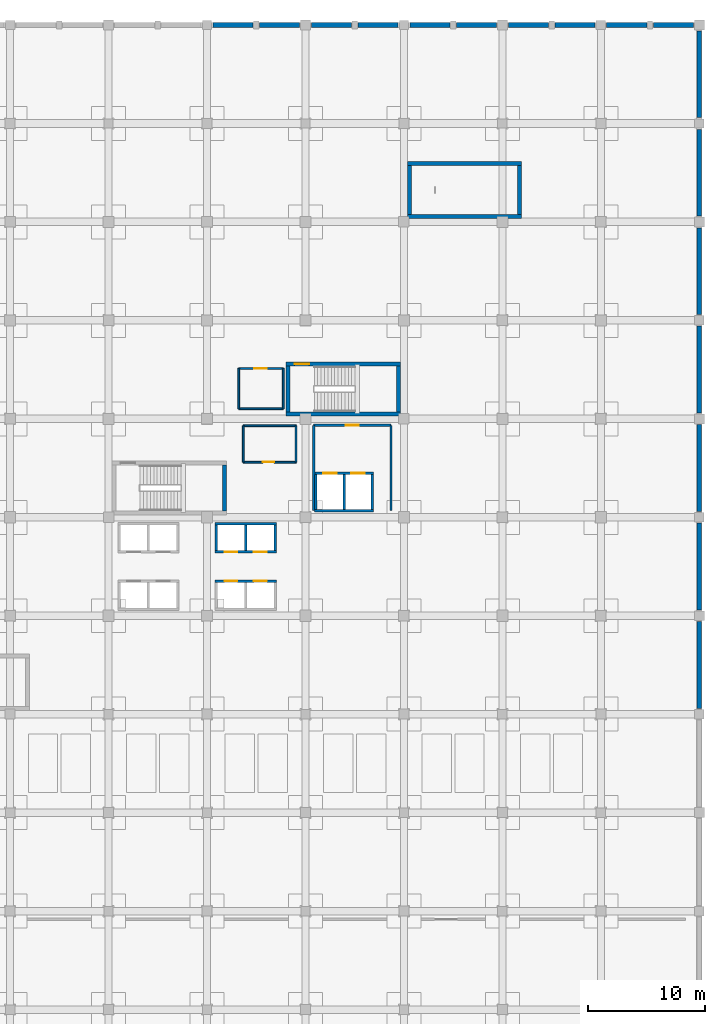
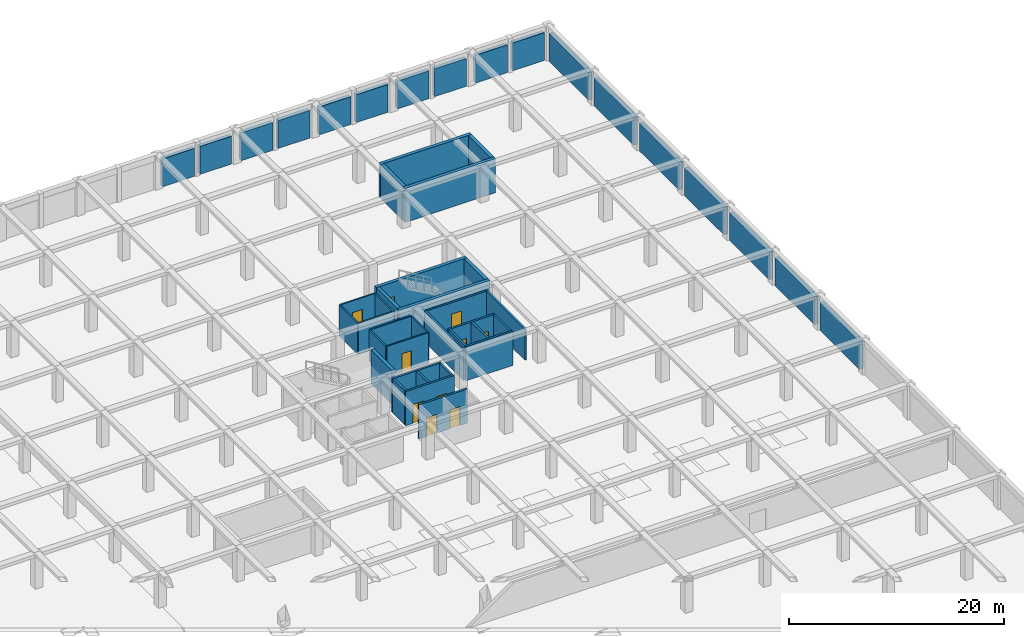
# One storey, part 20 of 32: 48 walls, 10 doors, 10 openings.
"""IFC4 building model written with IfcOpenShell, lengths in metres."""

from ifc_helpers import new_model, si_unit, direction, frame, frame_2d, origin, place, context, subcontext, project, spatial, rectangle, extrude, material, layer, layer_set, type_object, element, fill, save


model = new_model("IFC4")

# Units and contexts
model_context = context("Model", 3, precision=1e-05, world=origin(), true_north=direction((0.0, 1.0)))
body_context = subcontext(model_context, "Body", "Model", "MODEL_VIEW")
ifc_project = project(units=[si_unit("LENGTHUNIT", "METRE"), si_unit("AREAUNIT", "SQUARE_METRE"), si_unit("VOLUMEUNIT", "CUBIC_METRE"), si_unit("PLANEANGLEUNIT", "RADIAN"), si_unit("MASSUNIT", "GRAM", prefix="KILO")], contexts=[model_context])

# Site, building, storey
site_placement = place(None, origin())
site = spatial("IfcSite", under=ifc_project, at=site_placement, CompositionType="ELEMENT")
building_placement = place(site_placement, origin())
building = spatial("IfcBuilding", under=site, at=building_placement, Name="Almacenes y Pasaje Nevantli", CompositionType="ELEMENT")
storey_placement = place(building_placement, frame((0.0, 0.0, -4.199951171875)))
storey = spatial("IfcBuildingStorey", under=building, at=storey_placement, Name="B01", CompositionType="ELEMENT", Elevation=-4.199951171875)

# Wall, opening, door
ifc_material_1 = material(Name="Fire-Rated Concrete Blockwork", Category="masonry")
ifc_layer_1 = layer(ifc_material_1, 0.199951171875)
ifc_layer_set_1 = layer_set([ifc_layer_1], Name="Fire-Rated Concrete Blockwork")
wall_type_1 = type_object("IfcWallType", Name="WL-COMP-200", PredefinedType="PARTITIONING", material=ifc_layer_set_1)
wall_1_placement = place(storey_placement, frame((135.10009765625, 83.449951171875, 0.0), z_axis=(0.0, 0.0, 1.0), x_axis=(1.0, 0.0, 0.0)))
wall_1 = element("IfcWall", 1, at=wall_1_placement, inside=storey, type_object=wall_type_1, Name="B01 Interior Partition Wall IW-200 #17", PredefinedType="PARTITIONING", context=body_context, shape_type="SweptSolid", body=[
    extrude(rectangle(XDim=6.599853515625, YDim=0.199951171875, at=frame_2d((3.2998046875, 0.0))), origin(), (0.0, 0.0, 1.0), 3.5),
])
opening_1_placement = place(wall_1_placement, frame((2.75, 0.0, 0.0)))
opening_1 = element("IfcOpeningElement", 2, at=opening_1_placement, cuts=wall_1, Name="Opening ID-B01-008", PredefinedType="OPENING", context=body_context, shape_type="SweptSolid", body=[
    extrude(rectangle(XDim=1.10009765625, YDim=2.199951171875, at=frame_2d((0.550048828125, 1.10009765625))), frame((0.0, 0.10986328125, 0.0), z_axis=(0.0, -1.0, 0.0), x_axis=(1.0, 0.0, 0.0)), (0.0, 0.0, 1.0), 0.219970703125),
])
ifc_material_2 = material(Name="Galvanized Fire-Rated Steel", Category="steel")
door_type_1 = type_object("IfcDoorType", Name="DR-FD90-1100R", OperationType="SINGLE_SWING_RIGHT", PredefinedType="DOOR", material=ifc_material_2)
door_1_placement = place(opening_1_placement, origin())
door_1 = element("IfcDoor", 3, at=door_1_placement, inside=storey, type_object=door_type_1, Name="B01 Firefighting Lobby Door", OperationType="SINGLE_SWING_RIGHT", OverallHeight=2.199951171875, OverallWidth=1.10009765625, PredefinedType="DOOR", context=body_context, shape_type="SweptSolid", body=[
    extrude(rectangle(XDim=1.10009765625, YDim=2.199951171875, at=frame_2d((0.550048828125, 1.10009765625))), frame((0.0, 0.02490234375, 0.0), z_axis=(0.0, -1.0, 0.0), x_axis=(1.0, 0.0, 0.0)), (0.0, 0.0, 1.0), 0.050048828125),
])
fill(opening_1, door_1)

# Walls
for number, where, z_axis, x_axis, name in (
    (4, (135.10009765625, 76.199951171875, 0.0), (0.0, 0.0, 1.0), (0.0, 1.0, 0.0), "B01 Interior Partition Wall IW-200 #18"),
    (5, (141.699951171875, 76.199951171875, 0.0), (0.0, 0.0, 1.0), (0.0, 1.0, 0.0), "B01 Interior Partition Wall IW-200 #19"),
):
    element("IfcWall", number, at=place(storey_placement, frame(where, z_axis=z_axis, x_axis=x_axis)), inside=storey, type_object=wall_type_1, Name=name, PredefinedType="PARTITIONING", context=body_context, shape_type="SweptSolid", body=[
        extrude(rectangle(XDim=7.25, YDim=0.199951171875, at=frame_2d((3.625, 0.0))), origin(), (0.0, 0.0, 1.0), 3.5),
    ])
ifc_material_3 = material(Name="Concrete C45/55", Category="concrete")
ifc_layer_2 = layer(ifc_material_3, 0.35009765625)
ifc_layer_set_2 = layer_set([ifc_layer_2], Name="Concrete C45/55")
wall_type_2 = type_object("IfcWallType", Name="WL-CORE-350", PredefinedType="SHEAR", material=ifc_layer_set_2)
wall_2_placement = place(storey_placement, frame((127.47509765625, 76.14990234375, 0.0), z_axis=(0.0, 0.0, 1.0), x_axis=(0.0, 1.0, 0.0)))
element("IfcWall", 6, at=wall_2_placement, inside=storey, type_object=wall_type_2, Name="B01 Exit Stair ST-01 East Core Shear Wall", PredefinedType="SHEAR", context=body_context, shape_type="SweptSolid", body=[
    extrude(rectangle(XDim=3.89013671875, YDim=0.35009765625, at=frame_2d((1.945068359375, 0.0))), origin(), (0.0, 0.0, 1.0), 3.8798828125),
])
wall_3_placement = place(storey_placement, frame((132.75, 84.425048828125, 0.0), z_axis=(0.0, 0.0, 1.0), x_axis=(1.0, 0.0, 0.0)))
element("IfcWall", 7, at=wall_3_placement, inside=storey, type_object=wall_type_2, Name="B01 Exit Stair ST-02 South Core Shear Wall", PredefinedType="SHEAR", context=body_context, shape_type="SweptSolid", body=[
    extrude(rectangle(XDim=9.75, YDim=0.35009765625, at=frame_2d((4.875, 0.0))), origin(), (0.0, 0.0, 1.0), 3.8798828125),
])

# Wall, opening, door
wall_4_placement = place(storey_placement, frame((132.75, 88.6650390625, 0.0), z_axis=(0.0, 0.0, 1.0), x_axis=(1.0, 0.0, 0.0)))
wall_4 = element("IfcWall", 8, at=wall_4_placement, inside=storey, type_object=wall_type_2, Name="B01 Exit Stair ST-02 North Core Shear Wall", PredefinedType="SHEAR", context=body_context, shape_type="SweptSolid", body=[
    extrude(rectangle(XDim=9.75, YDim=0.35009765625, at=frame_2d((4.875, 0.0))), origin(), (0.0, 0.0, 1.0), 3.8798828125),
])
opening_2_placement = place(wall_4_placement, frame((0.719970703125, 0.0, 0.0)))
opening_2 = element("IfcOpeningElement", 9, at=opening_2_placement, cuts=wall_4, Name="Opening SD-02-B01", PredefinedType="OPENING", context=body_context, shape_type="SweptSolid", body=[
    extrude(rectangle(XDim=1.25, YDim=2.199951171875, at=frame_2d((0.625, 1.10009765625))), frame((0.0, 0.18505859375, 0.0), z_axis=(0.0, -1.0, 0.0), x_axis=(1.0, 0.0, 0.0)), (0.0, 0.0, 1.0), 0.3701171875),
])
ifc_material_4 = material(Name="Galvanized Fire-Rated Steel", Category="steel")
door_type_2 = type_object("IfcDoorType", Name="DR-STAIR-1250R", OperationType="SINGLE_SWING_RIGHT", PredefinedType="DOOR", material=ifc_material_4)
door_2_placement = place(opening_2_placement, origin())
door_2 = element("IfcDoor", 10, at=door_2_placement, inside=storey, type_object=door_type_2, Name="B01 Smokeproof Exit Stair ST-02 Fire Door", OperationType="SINGLE_SWING_RIGHT", OverallHeight=2.199951171875, OverallWidth=1.25, PredefinedType="DOOR", context=body_context, shape_type="SweptSolid", body=[
    extrude(rectangle(XDim=1.25, YDim=2.199951171875, at=frame_2d((0.625, 1.10009765625))), frame((0.0, 0.02490234375, 0.0), z_axis=(0.0, -1.0, 0.0), x_axis=(1.0, 0.0, 0.0)), (0.0, 0.0, 1.0), 0.050048828125),
])
fill(opening_2, door_2)

# Walls
for number, where, z_axis, x_axis, name in (
    (11, (132.925048828125, 84.60009765625, 0.0), (0.0, 0.0, 1.0), (0.0, 1.0, 0.0), "B01 Exit Stair ST-02 West Core Shear Wall"),
    (12, (142.324951171875, 84.60009765625, 0.0), (0.0, 0.0, 1.0), (0.0, 1.0, 0.0), "B01 Exit Stair ST-02 East Core Shear Wall"),
):
    element("IfcWall", number, at=place(storey_placement, frame(where, z_axis=z_axis, x_axis=x_axis)), inside=storey, type_object=wall_type_2, Name=name, PredefinedType="SHEAR", context=body_context, shape_type="SweptSolid", body=[
        extrude(rectangle(XDim=3.889892578125, YDim=0.35009765625, at=frame_2d((1.94482421875, 0.0))), origin(), (0.0, 0.0, 1.0), 3.8798828125),
    ])
for number, where, z_axis, x_axis, name in (
    (13, (143.10009765625, 101.27490234375, 0.0), (0.0, 0.0, 1.0), (1.0, 0.0, 0.0), "B01 Exit Stair ST-07 South Core Shear Wall"),
    (14, (143.10009765625, 105.77490234375, 0.0), (0.0, 0.0, 1.0), (1.0, 0.0, 0.0), "B01 Exit Stair ST-07 North Core Shear Wall"),
):
    element("IfcWall", number, at=place(storey_placement, frame(where, z_axis=z_axis, x_axis=x_axis)), inside=storey, type_object=wall_type_2, Name=name, PredefinedType="SHEAR", context=body_context, shape_type="SweptSolid", body=[
        extrude(rectangle(XDim=9.75, YDim=0.35009765625, at=frame_2d((4.875, 0.0))), origin(), (0.0, 0.0, 1.0), 3.8798828125),
    ])
for number, where, z_axis, x_axis, name in (
    (15, (143.27490234375, 101.449951171875, 0.0), (0.0, 0.0, 1.0), (0.0, 1.0, 0.0), "B01 Exit Stair ST-07 West Core Shear Wall"),
    (16, (152.675048828125, 101.449951171875, 0.0), (0.0, 0.0, 1.0), (0.0, 1.0, 0.0), "B01 Exit Stair ST-07 East Core Shear Wall"),
):
    element("IfcWall", number, at=place(storey_placement, frame(where, z_axis=z_axis, x_axis=x_axis)), inside=storey, type_object=wall_type_2, Name=name, PredefinedType="SHEAR", context=body_context, shape_type="SweptSolid", body=[
        extrude(rectangle(XDim=4.150146484375, YDim=0.35009765625, at=frame_2d((2.0751953125, 0.0))), origin(), (0.0, 0.0, 1.0), 3.8798828125),
    ])

# Wall, opening, door
ifc_material_5 = material(Name="Acoustic Steel-Stud Gypsum Partition", Category="steel")
ifc_layer_3 = layer(ifc_material_5, 0.14990234375)
ifc_layer_set_3 = layer_set([ifc_layer_3], Name="Acoustic Steel-Stud Gypsum Partition")
wall_type_3 = type_object("IfcWallType", Name="WL-PART-150", PredefinedType="PARTITIONING", material=ifc_layer_set_3)
wall_5_placement = place(storey_placement, frame((129.10009765625, 80.300048828125, 0.0), z_axis=(0.0, 0.0, 1.0), x_axis=(1.0, 0.0, 0.0)))
wall_5 = element("IfcWall", 17, at=wall_5_placement, inside=storey, type_object=wall_type_3, Name="B01 Interior Partition Wall IW-150 #20", PredefinedType="PARTITIONING", context=body_context, shape_type="SweptSolid", body=[
    extrude(rectangle(XDim=4.5, YDim=0.14990234375, at=frame_2d((2.25, 0.0))), origin(), (0.0, 0.0, 1.0), 3.5),
])
opening_3_placement = place(wall_5_placement, frame((1.64990234375, 0.0, 0.0)))
opening_3 = element("IfcOpeningElement", 18, at=opening_3_placement, cuts=wall_5, Name="Opening ID-B01-009", PredefinedType="OPENING", context=body_context, shape_type="SweptSolid", body=[
    extrude(rectangle(XDim=1.0, YDim=2.10009765625, at=frame_2d((0.5, 1.050048828125))), frame((0.0, 0.0849609375, 0.0), z_axis=(0.0, -1.0, 0.0), x_axis=(1.0, 0.0, 0.0)), (0.0, 0.0, 1.0), 0.169921875),
])
ifc_material_6 = material(Name="Powder-Coated Hollow Metal", Category="steel")
door_type_3 = type_object("IfcDoorType", Name="DR-INT-1000", OperationType="SINGLE_SWING_LEFT", PredefinedType="DOOR", material=ifc_material_6)
door_3_placement = place(opening_3_placement, origin())
door_3 = element("IfcDoor", 19, at=door_3_placement, inside=storey, type_object=door_type_3, Name="B01 Staff and Public WC Door", OperationType="SINGLE_SWING_LEFT", OverallHeight=2.10009765625, OverallWidth=1.0, PredefinedType="DOOR", context=body_context, shape_type="SweptSolid", body=[
    extrude(rectangle(XDim=1.0, YDim=2.10009765625, at=frame_2d((0.5, 1.050048828125))), frame((0.0, 0.02490234375, 0.0), z_axis=(0.0, -1.0, 0.0), x_axis=(1.0, 0.0, 0.0)), (0.0, 0.0, 1.0), 0.050048828125),
])
fill(opening_3, door_3)

# Walls
wall_6_placement = place(storey_placement, frame((129.10009765625, 83.39990234375, 0.0), z_axis=(0.0, 0.0, 1.0), x_axis=(1.0, 0.0, 0.0)))
element("IfcWall", 20, at=wall_6_placement, inside=storey, type_object=wall_type_3, Name="B01 Interior Partition Wall IW-150 #21", PredefinedType="PARTITIONING", context=body_context, shape_type="SweptSolid", body=[
    extrude(rectangle(XDim=4.5, YDim=0.14990234375, at=frame_2d((2.25, 0.0))), origin(), (0.0, 0.0, 1.0), 3.5),
])
for number, where, z_axis, x_axis, name in (
    (21, (129.10009765625, 80.300048828125, 0.0), (0.0, 0.0, 1.0), (0.0, 1.0, 0.0), "B01 Interior Partition Wall IW-150 #22"),
    (22, (133.60009765625, 80.300048828125, 0.0), (0.0, 0.0, 1.0), (0.0, 1.0, 0.0), "B01 Interior Partition Wall IW-150 #23"),
):
    element("IfcWall", number, at=place(storey_placement, frame(where, z_axis=z_axis, x_axis=x_axis)), inside=storey, type_object=wall_type_3, Name=name, PredefinedType="PARTITIONING", context=body_context, shape_type="SweptSolid", body=[
        extrude(rectangle(XDim=3.099853515625, YDim=0.14990234375, at=frame_2d((1.5498046875, 0.0))), origin(), (0.0, 0.0, 1.0), 3.5),
    ])

# Wall, opening, door
wall_7_placement = place(storey_placement, frame((128.699951171875, 88.300048828125, 0.0), z_axis=(0.0, 0.0, 1.0), x_axis=(1.0, 0.0, 0.0)))
wall_7 = element("IfcWall", 23, at=wall_7_placement, inside=storey, type_object=wall_type_3, Name="B01 Interior Partition Wall IW-150 #24", PredefinedType="PARTITIONING", context=body_context, shape_type="SweptSolid", body=[
    extrude(rectangle(XDim=3.800048828125, YDim=0.14990234375, at=frame_2d((1.89990234375, 0.0))), origin(), (0.0, 0.0, 1.0), 3.5),
])
opening_4_placement = place(wall_7_placement, frame((1.35009765625, 0.0, 0.0)))
opening_4 = element("IfcOpeningElement", 24, at=opening_4_placement, cuts=wall_7, Name="Opening ID-B01-010", PredefinedType="OPENING", context=body_context, shape_type="SweptSolid", body=[
    extrude(rectangle(XDim=1.050048828125, YDim=2.14990234375, at=frame_2d((0.52490234375, 1.074951171875))), frame((0.0, 0.0849609375, 0.0), z_axis=(0.0, -1.0, 0.0), x_axis=(1.0, 0.0, 0.0)), (0.0, 0.0, 1.0), 0.169921875),
])
ifc_material_7 = material(Name="Powder-Coated Hollow Metal", Category="steel")
door_type_4 = type_object("IfcDoorType", Name="DR-ACC-1050", OperationType="SINGLE_SWING_RIGHT", PredefinedType="DOOR", material=ifc_material_7)
door_4_placement = place(opening_4_placement, origin())
door_4 = element("IfcDoor", 25, at=door_4_placement, inside=storey, type_object=door_type_4, Name="B01 Accessible WC Door", OperationType="SINGLE_SWING_RIGHT", OverallHeight=2.14990234375, OverallWidth=1.050048828125, PredefinedType="DOOR", context=body_context, shape_type="SweptSolid", body=[
    extrude(rectangle(XDim=1.050048828125, YDim=2.14990234375, at=frame_2d((0.52490234375, 1.074951171875))), frame((0.0, 0.02490234375, 0.0), z_axis=(0.0, -1.0, 0.0), x_axis=(1.0, 0.0, 0.0)), (0.0, 0.0, 1.0), 0.050048828125),
])
fill(opening_4, door_4)

# Walls
wall_8_placement = place(storey_placement, frame((128.699951171875, 84.85009765625, 0.0), z_axis=(0.0, 0.0, 1.0), x_axis=(1.0, 0.0, 0.0)))
element("IfcWall", 26, at=wall_8_placement, inside=storey, type_object=wall_type_3, Name="B01 Interior Partition Wall IW-150 #25", PredefinedType="PARTITIONING", context=body_context, shape_type="SweptSolid", body=[
    extrude(rectangle(XDim=3.800048828125, YDim=0.14990234375, at=frame_2d((1.89990234375, 0.0))), origin(), (0.0, 0.0, 1.0), 3.5),
])
for number, where, z_axis, x_axis, name in (
    (27, (128.699951171875, 84.85009765625, 0.0), (0.0, 0.0, 1.0), (0.0, 1.0, 0.0), "B01 Interior Partition Wall IW-150 #26"),
    (28, (132.5, 84.85009765625, 0.0), (0.0, 0.0, 1.0), (0.0, 1.0, 0.0), "B01 Interior Partition Wall IW-150 #27"),
):
    element("IfcWall", number, at=place(storey_placement, frame(where, z_axis=z_axis, x_axis=x_axis)), inside=storey, type_object=wall_type_3, Name=name, PredefinedType="PARTITIONING", context=body_context, shape_type="SweptSolid", body=[
        extrude(rectangle(XDim=3.449951171875, YDim=0.14990234375, at=frame_2d((1.72509765625, 0.0))), origin(), (0.0, 0.0, 1.0), 3.5),
    ])

# Wall, openings, doors
ifc_material_8 = material(Name="Concrete C45/55", Category="concrete")
ifc_layer_4 = layer(ifc_material_8, 0.2099609375)
ifc_layer_set_4 = layer_set([ifc_layer_4], Name="Concrete C45/55")
wall_type_4 = type_object("IfcWallType", Name="WL-SHAFT-210", PredefinedType="SHEAR", material=ifc_layer_set_4)
wall_9_placement = place(storey_placement, frame((126.68994140625, 70.155029296875, 0.0), z_axis=(0.0, 0.0, 1.0), x_axis=(1.0, 0.0, 0.0)))
wall_9 = element("IfcWall", 29, at=wall_9_placement, inside=storey, type_object=wall_type_4, Name="B01 Lift Hoistway ELV-P01-ELV-P02 North Wall", PredefinedType="SHEAR", context=body_context, shape_type="SweptSolid", body=[
    extrude(rectangle(XDim=5.219970703125, YDim=0.2099609375, at=frame_2d((2.60986328125, 0.0))), origin(), (0.0, 0.0, 1.0), 3.8798828125),
])
opening_5_placement = place(wall_9_placement, frame((0.81005859375, 0.0, 0.0)))
opening_5 = element("IfcOpeningElement", 30, at=opening_5_placement, cuts=wall_9, Name="Opening LD-P01-B01", PredefinedType="OPENING", context=body_context, shape_type="SweptSolid", body=[
    extrude(rectangle(XDim=1.10009765625, YDim=2.14990234375, at=frame_2d((0.550048828125, 1.074951171875))), frame((0.0, 0.114990234375, 0.0), z_axis=(0.0, -1.0, 0.0), x_axis=(1.0, 0.0, 0.0)), (0.0, 0.0, 1.0), 0.22998046875),
])
opening_6_placement = place(wall_9_placement, frame((3.31005859375, 0.0, 0.0)))
opening_6 = element("IfcOpeningElement", 31, at=opening_6_placement, cuts=wall_9, Name="Opening LD-P02-B01", PredefinedType="OPENING", context=body_context, shape_type="SweptSolid", body=[
    extrude(rectangle(XDim=1.10009765625, YDim=2.14990234375, at=frame_2d((0.550048828125, 1.074951171875))), frame((0.0, 0.114990234375, 0.0), z_axis=(0.0, -1.0, 0.0), x_axis=(1.0, 0.0, 0.0)), (0.0, 0.0, 1.0), 0.22998046875),
])
ifc_material_9 = material(Name="Brushed Stainless Steel", Category="steel")
door_type_5 = type_object("IfcDoorType", Name="DR-LD-PASS-1100", OperationType="DOUBLE_DOOR_SLIDING", PredefinedType="DOOR", material=ifc_material_9)
door_5_placement = place(opening_5_placement, origin())
door_5 = element("IfcDoor", 32, at=door_5_placement, inside=storey, type_object=door_type_5, Name="Lift Landing Door ELV-P01 B01", OperationType="DOUBLE_DOOR_SLIDING", OverallHeight=2.14990234375, OverallWidth=1.10009765625, PredefinedType="DOOR", context=body_context, shape_type="SweptSolid", body=[
    extrude(rectangle(XDim=1.10009765625, YDim=2.14990234375, at=frame_2d((0.550048828125, 1.074951171875))), frame((0.0, 0.02490234375, 0.0), z_axis=(0.0, -1.0, 0.0), x_axis=(1.0, 0.0, 0.0)), (0.0, 0.0, 1.0), 0.050048828125),
])
fill(opening_5, door_5)
door_6_placement = place(opening_6_placement, origin())
door_6 = element("IfcDoor", 33, at=door_6_placement, inside=storey, type_object=door_type_5, Name="Lift Landing Door ELV-P02 B01", OperationType="DOUBLE_DOOR_SLIDING", OverallHeight=2.14990234375, OverallWidth=1.10009765625, PredefinedType="DOOR", context=body_context, shape_type="SweptSolid", body=[
    extrude(rectangle(XDim=1.10009765625, YDim=2.14990234375, at=frame_2d((0.550048828125, 1.074951171875))), frame((0.0, 0.02490234375, 0.0), z_axis=(0.0, -1.0, 0.0), x_axis=(1.0, 0.0, 0.0)), (0.0, 0.0, 1.0), 0.050048828125),
])
fill(opening_6, door_6)

wall_10_placement = place(storey_placement, frame((126.68994140625, 72.64501953125, 0.0), z_axis=(0.0, 0.0, 1.0), x_axis=(1.0, 0.0, 0.0)))
wall_10 = element("IfcWall", 34, at=wall_10_placement, inside=storey, type_object=wall_type_4, Name="B01 Lift Hoistway ELV-P03-ELV-P04 South Wall", PredefinedType="SHEAR", context=body_context, shape_type="SweptSolid", body=[
    extrude(rectangle(XDim=5.219970703125, YDim=0.2099609375, at=frame_2d((2.60986328125, 0.0))), origin(), (0.0, 0.0, 1.0), 3.8798828125),
])
opening_7_placement = place(wall_10_placement, frame((0.81005859375, 0.0, 0.0)))
opening_7 = element("IfcOpeningElement", 35, at=opening_7_placement, cuts=wall_10, Name="Opening LD-P03-B01", PredefinedType="OPENING", context=body_context, shape_type="SweptSolid", body=[
    extrude(rectangle(XDim=1.10009765625, YDim=2.14990234375, at=frame_2d((0.550048828125, 1.074951171875))), frame((0.0, 0.114990234375, 0.0), z_axis=(0.0, -1.0, 0.0), x_axis=(1.0, 0.0, 0.0)), (0.0, 0.0, 1.0), 0.22998046875),
])
opening_8_placement = place(wall_10_placement, frame((3.31005859375, 0.0, 0.0)))
opening_8 = element("IfcOpeningElement", 36, at=opening_8_placement, cuts=wall_10, Name="Opening LD-P04-B01", PredefinedType="OPENING", context=body_context, shape_type="SweptSolid", body=[
    extrude(rectangle(XDim=1.10009765625, YDim=2.14990234375, at=frame_2d((0.550048828125, 1.074951171875))), frame((0.0, 0.114990234375, 0.0), z_axis=(0.0, -1.0, 0.0), x_axis=(1.0, 0.0, 0.0)), (0.0, 0.0, 1.0), 0.22998046875),
])
door_7_placement = place(opening_7_placement, origin())
door_7 = element("IfcDoor", 37, at=door_7_placement, inside=storey, type_object=door_type_5, Name="Lift Landing Door ELV-P03 B01", OperationType="DOUBLE_DOOR_SLIDING", OverallHeight=2.14990234375, OverallWidth=1.10009765625, PredefinedType="DOOR", context=body_context, shape_type="SweptSolid", body=[
    extrude(rectangle(XDim=1.10009765625, YDim=2.14990234375, at=frame_2d((0.550048828125, 1.074951171875))), frame((0.0, 0.02490234375, 0.0), z_axis=(0.0, -1.0, 0.0), x_axis=(1.0, 0.0, 0.0)), (0.0, 0.0, 1.0), 0.050048828125),
])
fill(opening_7, door_7)
door_8_placement = place(opening_8_placement, origin())
door_8 = element("IfcDoor", 38, at=door_8_placement, inside=storey, type_object=door_type_5, Name="Lift Landing Door ELV-P04 B01", OperationType="DOUBLE_DOOR_SLIDING", OverallHeight=2.14990234375, OverallWidth=1.10009765625, PredefinedType="DOOR", context=body_context, shape_type="SweptSolid", body=[
    extrude(rectangle(XDim=1.10009765625, YDim=2.14990234375, at=frame_2d((0.550048828125, 1.074951171875))), frame((0.0, 0.02490234375, 0.0), z_axis=(0.0, -1.0, 0.0), x_axis=(1.0, 0.0, 0.0)), (0.0, 0.0, 1.0), 0.050048828125),
])
fill(opening_8, door_8)

# Walls
wall_11_placement = place(storey_placement, frame((126.68994140625, 75.054931640625, 0.0), z_axis=(0.0, 0.0, 1.0), x_axis=(1.0, 0.0, 0.0)))
element("IfcWall", 39, at=wall_11_placement, inside=storey, type_object=wall_type_4, Name="B01 Lift Hoistway ELV-P03-ELV-P04 North Wall", PredefinedType="SHEAR", context=body_context, shape_type="SweptSolid", body=[
    extrude(rectangle(XDim=5.219970703125, YDim=0.2099609375, at=frame_2d((2.60986328125, 0.0))), origin(), (0.0, 0.0, 1.0), 3.8798828125),
])
for number, where, z_axis, x_axis, name in (
    (40, (126.794921875, 72.75, 0.0), (0.0, 0.0, 1.0), (0.0, 1.0, 0.0), "B01 Lift Hoistway ELV-P03 West Wall"),
    (41, (131.804931640625, 72.75, 0.0), (0.0, 0.0, 1.0), (0.0, 1.0, 0.0), "B01 Lift Hoistway ELV-P04 East Wall"),
    (42, (129.300048828125, 72.75, 0.0), (0.0, 0.0, 1.0), (0.0, 1.0, 0.0), "B01 Lift Hoistway Divider Wall ELV-P03/ELV-P04"),
):
    element("IfcWall", number, at=place(storey_placement, frame(where, z_axis=z_axis, x_axis=x_axis)), inside=storey, type_object=wall_type_4, Name=name, PredefinedType="SHEAR", context=body_context, shape_type="SweptSolid", body=[
        extrude(rectangle(XDim=2.199951171875, YDim=0.2099609375, at=frame_2d((1.10009765625, 0.0))), origin(), (0.0, 0.0, 1.0), 3.8798828125),
    ])
wall_12_placement = place(storey_placement, frame((135.18994140625, 76.14501953125, 0.0), z_axis=(0.0, 0.0, 1.0), x_axis=(1.0, 0.0, 0.0)))
element("IfcWall", 43, at=wall_12_placement, inside=storey, type_object=wall_type_4, Name="B01 Lift Hoistway ELV-FF1-ELV-FF2 South Wall", PredefinedType="SHEAR", context=body_context, shape_type="SweptSolid", body=[
    extrude(rectangle(XDim=5.02001953125, YDim=0.2099609375, at=frame_2d((2.510009765625, 0.0))), origin(), (0.0, 0.0, 1.0), 3.8798828125),
])

# Wall, openings, doors
wall_13_placement = place(storey_placement, frame((135.18994140625, 79.35498046875, 0.0), z_axis=(0.0, 0.0, 1.0), x_axis=(1.0, 0.0, 0.0)))
wall_13 = element("IfcWall", 44, at=wall_13_placement, inside=storey, type_object=wall_type_4, Name="B01 Lift Hoistway ELV-FF1-ELV-FF2 North Wall", PredefinedType="SHEAR", context=body_context, shape_type="SweptSolid", body=[
    extrude(rectangle(XDim=5.02001953125, YDim=0.2099609375, at=frame_2d((2.510009765625, 0.0))), origin(), (0.0, 0.0, 1.0), 3.8798828125),
])
opening_9_placement = place(wall_13_placement, frame((0.735107421875, 0.0, 0.0)))
opening_9 = element("IfcOpeningElement", 45, at=opening_9_placement, cuts=wall_13, Name="Opening LD-FF1-B01", PredefinedType="OPENING", context=body_context, shape_type="SweptSolid", body=[
    extrude(rectangle(XDim=1.14990234375, YDim=2.199951171875, at=frame_2d((0.574951171875, 1.10009765625))), frame((0.0, 0.114990234375, 0.0), z_axis=(0.0, -1.0, 0.0), x_axis=(1.0, 0.0, 0.0)), (0.0, 0.0, 1.0), 0.22998046875),
])
opening_10_placement = place(wall_13_placement, frame((3.135009765625, 0.0, 0.0)))
opening_10 = element("IfcOpeningElement", 46, at=opening_10_placement, cuts=wall_13, Name="Opening LD-FF2-B01", PredefinedType="OPENING", context=body_context, shape_type="SweptSolid", body=[
    extrude(rectangle(XDim=1.14990234375, YDim=2.199951171875, at=frame_2d((0.574951171875, 1.10009765625))), frame((0.0, 0.114990234375, 0.0), z_axis=(0.0, -1.0, 0.0), x_axis=(1.0, 0.0, 0.0)), (0.0, 0.0, 1.0), 0.22998046875),
])
ifc_material_10 = material(Name="Fire-Rated Stainless Steel", Category="steel")
door_type_6 = type_object("IfcDoorType", Name="DR-LD-FF-1150", OperationType="DOUBLE_DOOR_SLIDING", PredefinedType="DOOR", material=ifc_material_10)
door_9_placement = place(opening_9_placement, origin())
door_9 = element("IfcDoor", 47, at=door_9_placement, inside=storey, type_object=door_type_6, Name="Lift Landing Door ELV-FF1 B01", OperationType="DOUBLE_DOOR_SLIDING", OverallHeight=2.199951171875, OverallWidth=1.14990234375, PredefinedType="DOOR", context=body_context, shape_type="SweptSolid", body=[
    extrude(rectangle(XDim=1.14990234375, YDim=2.199951171875, at=frame_2d((0.574951171875, 1.10009765625))), frame((0.0, 0.02490234375, 0.0), z_axis=(0.0, -1.0, 0.0), x_axis=(1.0, 0.0, 0.0)), (0.0, 0.0, 1.0), 0.050048828125),
])
fill(opening_9, door_9)
door_10_placement = place(opening_10_placement, origin())
door_10 = element("IfcDoor", 48, at=door_10_placement, inside=storey, type_object=door_type_6, Name="Lift Landing Door ELV-FF2 B01", OperationType="DOUBLE_DOOR_SLIDING", OverallHeight=2.199951171875, OverallWidth=1.14990234375, PredefinedType="DOOR", context=body_context, shape_type="SweptSolid", body=[
    extrude(rectangle(XDim=1.14990234375, YDim=2.199951171875, at=frame_2d((0.574951171875, 1.10009765625))), frame((0.0, 0.02490234375, 0.0), z_axis=(0.0, -1.0, 0.0), x_axis=(1.0, 0.0, 0.0)), (0.0, 0.0, 1.0), 0.050048828125),
])
fill(opening_10, door_10)

# Walls
for number, where, z_axis, x_axis, name in (
    (49, (135.294921875, 76.25, 0.0), (0.0, 0.0, 1.0), (0.0, 1.0, 0.0), "B01 Lift Hoistway ELV-FF1 West Wall"),
    (50, (140.10498046875, 76.25, 0.0), (0.0, 0.0, 1.0), (0.0, 1.0, 0.0), "B01 Lift Hoistway ELV-FF2 East Wall"),
    (51, (137.699951171875, 76.25, 0.0), (0.0, 0.0, 1.0), (0.0, 1.0, 0.0), "B01 Lift Hoistway Divider Wall ELV-FF1/ELV-FF2"),
):
    element("IfcWall", number, at=place(storey_placement, frame(where, z_axis=z_axis, x_axis=x_axis)), inside=storey, type_object=wall_type_4, Name=name, PredefinedType="SHEAR", context=body_context, shape_type="SweptSolid", body=[
        extrude(rectangle(XDim=3.0, YDim=0.2099609375, at=frame_2d((1.5, 0.0))), origin(), (0.0, 0.0, 1.0), 3.8798828125),
    ])
ifc_material_11 = material(Name="Concrete C45/55", Category="concrete")
ifc_layer_5 = layer(ifc_material_11, 0.39990234375)
ifc_layer_set_5 = layer_set([ifc_layer_5], Name="Concrete C45/55")
wall_type_5 = type_object("IfcWallType", Name="WL-SHEAR-400", PredefinedType="SHEAR", material=ifc_layer_set_5)
for number, where, z_axis, x_axis, name in (
    (52, (126.5, 117.60009765625, 0.0), (0.0, 0.0, 1.0), (1.0, 0.0, 0.0), "B01 North Basement Retaining Shear Wall #16A"),
    (53, (130.47998046875, 117.60009765625, 0.0), (0.0, 0.0, 1.0), (1.0, 0.0, 0.0), "B01 North Basement Retaining Shear Wall #16B"),
):
    element("IfcWall", number, at=place(storey_placement, frame(where, z_axis=z_axis, x_axis=x_axis)), inside=storey, type_object=wall_type_5, Name=name, PredefinedType="SHEAR", context=body_context, shape_type="SweptSolid", body=[
        extrude(rectangle(XDim=3.419921875, YDim=0.39990234375, at=frame_2d((1.7099609375, 0.0))), origin(), (0.0, 0.0, 1.0), 3.159912109375),
    ])
for number, where, z_axis, x_axis, name in (
    (54, (134.89990234375, 117.60009765625, 0.0), (0.0, 0.0, 1.0), (1.0, 0.0, 0.0), "B01 North Basement Retaining Shear Wall #17A"),
    (55, (138.8798828125, 117.60009765625, 0.0), (0.0, 0.0, 1.0), (1.0, 0.0, 0.0), "B01 North Basement Retaining Shear Wall #17B"),
):
    element("IfcWall", number, at=place(storey_placement, frame(where, z_axis=z_axis, x_axis=x_axis)), inside=storey, type_object=wall_type_5, Name=name, PredefinedType="SHEAR", context=body_context, shape_type="SweptSolid", body=[
        extrude(rectangle(XDim=3.420166015625, YDim=0.39990234375, at=frame_2d((1.7099609375, 0.0))), origin(), (0.0, 0.0, 1.0), 3.159912109375),
    ])
for number, where, z_axis, x_axis, name in (
    (56, (143.300048828125, 117.60009765625, 0.0), (0.0, 0.0, 1.0), (1.0, 0.0, 0.0), "B01 North Basement Retaining Shear Wall #18A"),
    (57, (147.280029296875, 117.60009765625, 0.0), (0.0, 0.0, 1.0), (1.0, 0.0, 0.0), "B01 North Basement Retaining Shear Wall #18B"),
):
    element("IfcWall", number, at=place(storey_placement, frame(where, z_axis=z_axis, x_axis=x_axis)), inside=storey, type_object=wall_type_5, Name=name, PredefinedType="SHEAR", context=body_context, shape_type="SweptSolid", body=[
        extrude(rectangle(XDim=3.419921875, YDim=0.39990234375, at=frame_2d((1.7099609375, 0.0))), origin(), (0.0, 0.0, 1.0), 3.159912109375),
    ])
for number, where, z_axis, x_axis, name in (
    (58, (151.699951171875, 117.60009765625, 0.0), (0.0, 0.0, 1.0), (1.0, 0.0, 0.0), "B01 North Basement Retaining Shear Wall #19A"),
    (59, (155.679931640625, 117.60009765625, 0.0), (0.0, 0.0, 1.0), (1.0, 0.0, 0.0), "B01 North Basement Retaining Shear Wall #19B"),
):
    element("IfcWall", number, at=place(storey_placement, frame(where, z_axis=z_axis, x_axis=x_axis)), inside=storey, type_object=wall_type_5, Name=name, PredefinedType="SHEAR", context=body_context, shape_type="SweptSolid", body=[
        extrude(rectangle(XDim=3.420166015625, YDim=0.39990234375, at=frame_2d((1.7099609375, 0.0))), origin(), (0.0, 0.0, 1.0), 3.159912109375),
    ])
for number, where, z_axis, x_axis, name in (
    (60, (160.10009765625, 117.60009765625, 0.0), (0.0, 0.0, 1.0), (1.0, 0.0, 0.0), "B01 North Basement Retaining Shear Wall #20A"),
    (61, (164.080078125, 117.60009765625, 0.0), (0.0, 0.0, 1.0), (1.0, 0.0, 0.0), "B01 North Basement Retaining Shear Wall #20B"),
):
    element("IfcWall", number, at=place(storey_placement, frame(where, z_axis=z_axis, x_axis=x_axis)), inside=storey, type_object=wall_type_5, Name=name, PredefinedType="SHEAR", context=body_context, shape_type="SweptSolid", body=[
        extrude(rectangle(XDim=3.419921875, YDim=0.39990234375, at=frame_2d((1.7099609375, 0.0))), origin(), (0.0, 0.0, 1.0), 3.159912109375),
    ])
wall_14_placement = place(storey_placement, frame((168.0, 59.300048828125, 0.0), z_axis=(0.0, 0.0, 1.0), x_axis=(0.0, 1.0, 0.0)))
element("IfcWall", 62, at=wall_14_placement, inside=storey, type_object=wall_type_5, Name="B01 East Basement Retaining Shear Wall #8", PredefinedType="SHEAR", context=body_context, shape_type="SweptSolid", body=[
    extrude(rectangle(XDim=7.39990234375, YDim=0.39990234375, at=frame_2d((3.699951171875, 0.0))), origin(), (0.0, 0.0, 1.0), 3.159912109375),
])
wall_15_placement = place(storey_placement, frame((168.0, 67.699951171875, 0.0), z_axis=(0.0, 0.0, 1.0), x_axis=(0.0, 1.0, 0.0)))
element("IfcWall", 63, at=wall_15_placement, inside=storey, type_object=wall_type_5, Name="B01 East Basement Retaining Shear Wall #9", PredefinedType="SHEAR", context=body_context, shape_type="SweptSolid", body=[
    extrude(rectangle(XDim=7.400146484375, YDim=0.39990234375, at=frame_2d((3.7001953125, 0.0))), origin(), (0.0, 0.0, 1.0), 3.159912109375),
])
for number, where, z_axis, x_axis, name in (
    (64, (168.0, 76.10009765625, 0.0), (0.0, 0.0, 1.0), (0.0, 1.0, 0.0), "B01 East Basement Retaining Shear Wall #10"),
    (65, (168.0, 84.5, 0.0), (0.0, 0.0, 1.0), (0.0, 1.0, 0.0), "B01 East Basement Retaining Shear Wall #11"),
):
    element("IfcWall", number, at=place(storey_placement, frame(where, z_axis=z_axis, x_axis=x_axis)), inside=storey, type_object=wall_type_5, Name=name, PredefinedType="SHEAR", context=body_context, shape_type="SweptSolid", body=[
        extrude(rectangle(XDim=7.39990234375, YDim=0.39990234375, at=frame_2d((3.699951171875, 0.0))), origin(), (0.0, 0.0, 1.0), 3.159912109375),
    ])
wall_16_placement = place(storey_placement, frame((168.0, 92.89990234375, 0.0), z_axis=(0.0, 0.0, 1.0), x_axis=(0.0, 1.0, 0.0)))
element("IfcWall", 66, at=wall_16_placement, inside=storey, type_object=wall_type_5, Name="B01 East Basement Retaining Shear Wall #12", PredefinedType="SHEAR", context=body_context, shape_type="SweptSolid", body=[
    extrude(rectangle(XDim=7.400146484375, YDim=0.39990234375, at=frame_2d((3.7001953125, 0.0))), origin(), (0.0, 0.0, 1.0), 3.159912109375),
])
wall_17_placement = place(storey_placement, frame((168.0, 101.300048828125, 0.0), z_axis=(0.0, 0.0, 1.0), x_axis=(0.0, 1.0, 0.0)))
element("IfcWall", 67, at=wall_17_placement, inside=storey, type_object=wall_type_5, Name="B01 East Basement Retaining Shear Wall #13", PredefinedType="SHEAR", context=body_context, shape_type="SweptSolid", body=[
    extrude(rectangle(XDim=7.39990234375, YDim=0.39990234375, at=frame_2d((3.699951171875, 0.0))), origin(), (0.0, 0.0, 1.0), 3.159912109375),
])
wall_18_placement = place(storey_placement, frame((168.0, 109.699951171875, 0.0), z_axis=(0.0, 0.0, 1.0), x_axis=(0.0, 1.0, 0.0)))
element("IfcWall", 68, at=wall_18_placement, inside=storey, type_object=wall_type_5, Name="B01 East Basement Retaining Shear Wall #14", PredefinedType="SHEAR", context=body_context, shape_type="SweptSolid", body=[
    extrude(rectangle(XDim=7.400146484375, YDim=0.39990234375, at=frame_2d((3.7001953125, 0.0))), origin(), (0.0, 0.0, 1.0), 3.159912109375),
])

save(model, "model.ifc")
